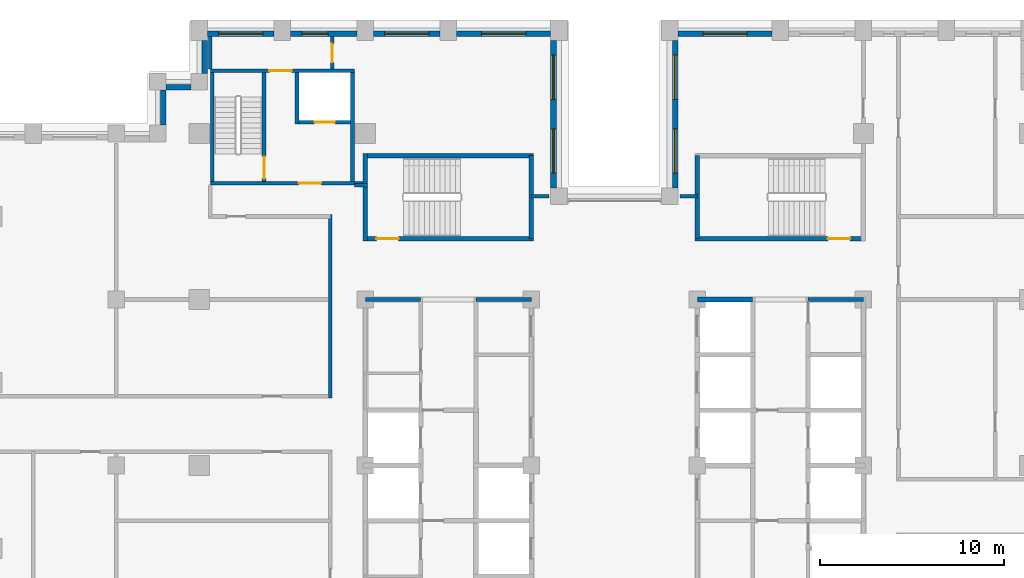
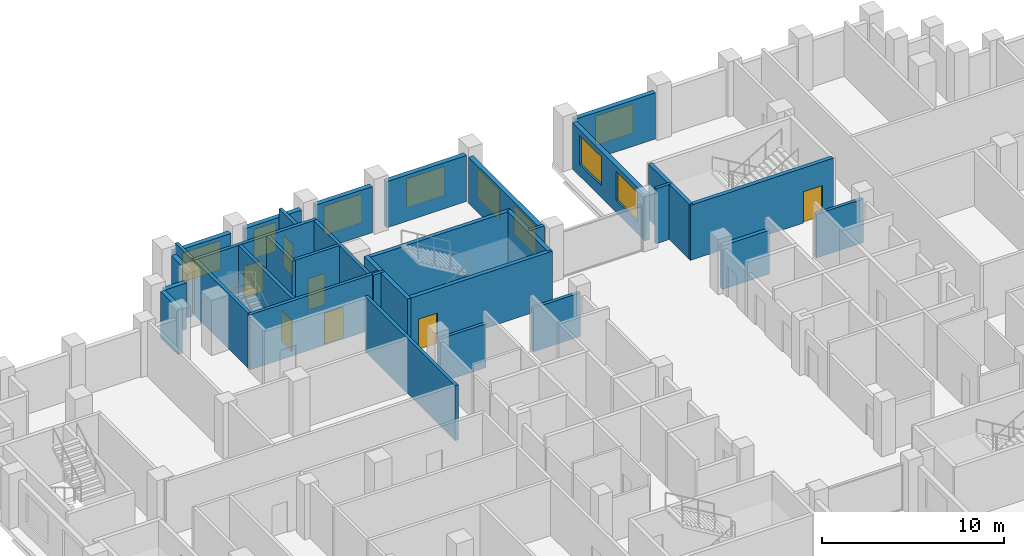
# One storey, part 10 of 15: 33 walls, 9 windows, 7 doors, 16 openings.
"""IFC4 building model written with IfcOpenShell, lengths in metres."""

from ifc_helpers import new_model, si_unit, direction, frame, frame_2d, origin, place, context, subcontext, project, spatial, rectangle, extrude, material, layer, layer_set, type_object, element, fill, save


model = new_model("IFC4")

# Units and contexts
model_context = context("Model", 3, precision=1e-05, world=origin(), true_north=direction((0.0, 1.0)))
body_context = subcontext(model_context, "Body", "Model", "MODEL_VIEW")
ifc_project = project(units=[si_unit("LENGTHUNIT", "METRE"), si_unit("AREAUNIT", "SQUARE_METRE"), si_unit("VOLUMEUNIT", "CUBIC_METRE"), si_unit("PLANEANGLEUNIT", "RADIAN"), si_unit("MASSUNIT", "GRAM", prefix="KILO")], contexts=[model_context])

# Site, building, storey
site_placement = place(None, origin())
site = spatial("IfcSite", under=ifc_project, at=site_placement, CompositionType="ELEMENT")
building_placement = place(site_placement, origin())
building = spatial("IfcBuilding", under=site, at=building_placement, Name="Corbelhall Arena Tower", CompositionType="ELEMENT")
storey_placement = place(building_placement, frame((0.0, 0.0, 130.0)))
storey = spatial("IfcBuildingStorey", under=building, at=storey_placement, Name="L24", CompositionType="ELEMENT", Elevation=130.0)

# Walls
ifc_material_1 = material(Name="Precast concrete C40/50 with granite facing", Category="masonry")
ifc_layer_1 = layer(ifc_material_1, 0.300048828125)
ifc_layer_set_1 = layer_set([ifc_layer_1], Name="EV-IW1 Infill panel 300")
wall_type_1 = type_object("IfcWallType", Name="EV-IW1 Infill panel 300", PredefinedType="SOLIDWALL", material=ifc_layer_set_1)
wall_1_placement = place(storey_placement, frame((-22.199951171875, 23.050048828125, 0.0), z_axis=(0.0, 0.0, 1.0), x_axis=(0.0, -1.0, 0.0)))
element("IfcWall", 1, at=wall_1_placement, inside=storey, type_object=wall_type_1, Name="Infill panel IW1", PredefinedType="SOLIDWALL", context=body_context, shape_type="SweptSolid", body=[
    extrude(rectangle(XDim=1.800048828125, YDim=0.300048828125, at=frame_2d((0.89990234375, 0.0))), origin(), (0.0, 0.0, 1.0), 3.10009765625),
])
wall_2_placement = place(storey_placement, frame((-22.949951171875, 20.5, 0.0), z_axis=(0.0, 0.0, 1.0), x_axis=(-1.0, 0.0, 0.0)))
element("IfcWall", 2, at=wall_2_placement, inside=storey, type_object=wall_type_1, Name="Infill panel IW1", PredefinedType="SOLIDWALL", context=body_context, shape_type="SweptSolid", body=[
    extrude(rectangle(XDim=1.35009765625, YDim=0.300048828125, at=frame_2d((0.675048828125, 0.0))), origin(), (0.0, 0.0, 1.0), 3.10009765625),
])
wall_3_placement = place(storey_placement, frame((-24.449951171875, 20.35009765625, 0.0), z_axis=(0.0, 0.0, 1.0), x_axis=(0.0, -1.0, 0.0)))
element("IfcWall", 3, at=wall_3_placement, inside=storey, type_object=wall_type_1, Name="Infill panel IW1", PredefinedType="SOLIDWALL", context=body_context, shape_type="SweptSolid", body=[
    extrude(rectangle(XDim=1.900146484375, YDim=0.300048828125, at=frame_2d((0.9501953125, 0.0))), origin(), (0.0, 0.0, 1.0), 3.10009765625),
])

# Wall, opening, window
wall_4_placement = place(storey_placement, frame((8.550048828125, 23.39990234375, 0.0), z_axis=(0.0, 0.0, 1.0), x_axis=(-1.0, 0.0, 0.0)))
wall_4 = element("IfcWall", 4, at=wall_4_placement, inside=storey, type_object=wall_type_1, Name="Infill panel IW1", PredefinedType="SOLIDWALL", context=body_context, shape_type="SweptSolid", body=[
    extrude(rectangle(XDim=5.10009765625, YDim=0.300048828125, at=frame_2d((2.550048828125, 0.0))), origin(), (0.0, 0.0, 1.0), 3.10009765625),
])
opening_1_placement = place(wall_4_placement, frame((1.35009765625, 0.0, 0.800048828125)))
opening_1 = element("IfcOpeningElement", 5, at=opening_1_placement, cuts=wall_4, Name="Opening WN1", PredefinedType="OPENING", context=body_context, shape_type="SweptSolid", body=[
    extrude(rectangle(XDim=2.39990234375, YDim=1.949951171875, at=frame_2d((1.199951171875, 0.97509765625))), frame((0.0, 0.14990234375, 0.0), z_axis=(0.0, -1.0, 0.0), x_axis=(1.0, 0.0, 0.0)), (0.0, 0.0, 1.0), 0.300048828125),
])
ifc_material_2 = material(Name="Aluminium black anodised", Category="aluminium")
window_type_1 = type_object("IfcWindowType", Name="EV-WN1 Office window", PartitioningType="SINGLE_PANEL", PredefinedType="WINDOW", material=ifc_material_2)
window_1_placement = place(opening_1_placement, origin())
window_1 = element("IfcWindow", 6, at=window_1_placement, inside=storey, type_object=window_type_1, Name="Window WN1", OverallHeight=1.949951171875, OverallWidth=2.39990234375, PartitioningType="SINGLE_PANEL", PredefinedType="WINDOW", context=body_context, shape_type="SweptSolid", body=[
    extrude(rectangle(XDim=2.39990234375, YDim=1.949951171875, at=frame_2d((1.199951171875, 0.97509765625))), frame((0.0, 0.030029296875, 0.0), z_axis=(0.0, -1.0, 0.0), x_axis=(1.0, 0.0, 0.0)), (0.0, 0.0, 1.0), 0.06005859375),
])
fill(opening_1, window_1)

# Wall, openings, windows
wall_5_placement = place(storey_placement, frame((3.300048828125, 23.050048828125, 0.0), z_axis=(0.0, 0.0, 1.0), x_axis=(0.0, -1.0, 0.0)))
wall_5 = element("IfcWall", 7, at=wall_5_placement, inside=storey, type_object=wall_type_1, Name="Infill panel IW1", PredefinedType="SOLIDWALL", context=body_context, shape_type="SweptSolid", body=[
    extrude(rectangle(XDim=8.0, YDim=0.300048828125, at=frame_2d((4.0, 0.0))), origin(), (0.0, 0.0, 1.0), 3.10009765625),
])
opening_2_placement = place(wall_5_placement, frame((0.800048828125, 0.0, 0.800048828125)))
opening_2 = element("IfcOpeningElement", 8, at=opening_2_placement, cuts=wall_5, Name="Opening WN1", PredefinedType="OPENING", context=body_context, shape_type="SweptSolid", body=[
    extrude(rectangle(XDim=2.39990234375, YDim=1.949951171875, at=frame_2d((1.199951171875, 0.97509765625))), frame((0.0, 0.14990234375, 0.0), z_axis=(0.0, -1.0, 0.0), x_axis=(1.0, 0.0, 0.0)), (0.0, 0.0, 1.0), 0.300048828125),
])
opening_3_placement = place(wall_5_placement, frame((4.800048828125, 0.0, 0.800048828125)))
opening_3 = element("IfcOpeningElement", 9, at=opening_3_placement, cuts=wall_5, Name="Opening WN1", PredefinedType="OPENING", context=body_context, shape_type="SweptSolid", body=[
    extrude(rectangle(XDim=2.39990234375, YDim=1.949951171875, at=frame_2d((1.199951171875, 0.97509765625))), frame((0.0, 0.14990234375, 0.0), z_axis=(0.0, -1.0, 0.0), x_axis=(1.0, 0.0, 0.0)), (0.0, 0.0, 1.0), 0.300048828125),
])
window_2_placement = place(opening_2_placement, origin())
window_2 = element("IfcWindow", 10, at=window_2_placement, inside=storey, type_object=window_type_1, Name="Window WN1", OverallHeight=1.949951171875, OverallWidth=2.39990234375, PartitioningType="SINGLE_PANEL", PredefinedType="WINDOW", context=body_context, shape_type="SweptSolid", body=[
    extrude(rectangle(XDim=2.39990234375, YDim=1.949951171875, at=frame_2d((1.199951171875, 0.97509765625))), frame((0.0, 0.030029296875, 0.0), z_axis=(0.0, -1.0, 0.0), x_axis=(1.0, 0.0, 0.0)), (0.0, 0.0, 1.0), 0.06005859375),
])
fill(opening_2, window_2)
window_3_placement = place(opening_3_placement, origin())
window_3 = element("IfcWindow", 11, at=window_3_placement, inside=storey, type_object=window_type_1, Name="Window WN1", OverallHeight=1.949951171875, OverallWidth=2.39990234375, PartitioningType="SINGLE_PANEL", PredefinedType="WINDOW", context=body_context, shape_type="SweptSolid", body=[
    extrude(rectangle(XDim=2.39990234375, YDim=1.949951171875, at=frame_2d((1.199951171875, 0.97509765625))), frame((0.0, 0.030029296875, 0.0), z_axis=(0.0, -1.0, 0.0), x_axis=(1.0, 0.0, 0.0)), (0.0, 0.0, 1.0), 0.06005859375),
])
fill(opening_3, window_3)

wall_6_placement = place(storey_placement, frame((-3.300048828125, 15.050048828125, 0.0), z_axis=(0.0, 0.0, 1.0), x_axis=(0.0, 1.0, 0.0)))
wall_6 = element("IfcWall", 12, at=wall_6_placement, inside=storey, type_object=wall_type_1, Name="Infill panel IW1", PredefinedType="SOLIDWALL", context=body_context, shape_type="SweptSolid", body=[
    extrude(rectangle(XDim=8.0, YDim=0.300048828125, at=frame_2d((4.0, 0.0))), origin(), (0.0, 0.0, 1.0), 3.10009765625),
])
opening_4_placement = place(wall_6_placement, frame((0.800048828125, 0.0, 0.800048828125)))
opening_4 = element("IfcOpeningElement", 13, at=opening_4_placement, cuts=wall_6, Name="Opening WN1", PredefinedType="OPENING", context=body_context, shape_type="SweptSolid", body=[
    extrude(rectangle(XDim=2.39990234375, YDim=1.949951171875, at=frame_2d((1.199951171875, 0.97509765625))), frame((0.0, 0.14990234375, 0.0), z_axis=(0.0, -1.0, 0.0), x_axis=(1.0, 0.0, 0.0)), (0.0, 0.0, 1.0), 0.300048828125),
])
opening_5_placement = place(wall_6_placement, frame((4.800048828125, 0.0, 0.800048828125)))
opening_5 = element("IfcOpeningElement", 14, at=opening_5_placement, cuts=wall_6, Name="Opening WN1", PredefinedType="OPENING", context=body_context, shape_type="SweptSolid", body=[
    extrude(rectangle(XDim=2.39990234375, YDim=1.949951171875, at=frame_2d((1.199951171875, 0.97509765625))), frame((0.0, 0.14990234375, 0.0), z_axis=(0.0, -1.0, 0.0), x_axis=(1.0, 0.0, 0.0)), (0.0, 0.0, 1.0), 0.300048828125),
])
window_4_placement = place(opening_4_placement, origin())
window_4 = element("IfcWindow", 15, at=window_4_placement, inside=storey, type_object=window_type_1, Name="Window WN1", OverallHeight=1.949951171875, OverallWidth=2.39990234375, PartitioningType="SINGLE_PANEL", PredefinedType="WINDOW", context=body_context, shape_type="SweptSolid", body=[
    extrude(rectangle(XDim=2.39990234375, YDim=1.949951171875, at=frame_2d((1.199951171875, 0.97509765625))), frame((0.0, 0.030029296875, 0.0), z_axis=(0.0, -1.0, 0.0), x_axis=(1.0, 0.0, 0.0)), (0.0, 0.0, 1.0), 0.06005859375),
])
fill(opening_4, window_4)
window_5_placement = place(opening_5_placement, origin())
window_5 = element("IfcWindow", 16, at=window_5_placement, inside=storey, type_object=window_type_1, Name="Window WN1", OverallHeight=1.949951171875, OverallWidth=2.39990234375, PartitioningType="SINGLE_PANEL", PredefinedType="WINDOW", context=body_context, shape_type="SweptSolid", body=[
    extrude(rectangle(XDim=2.39990234375, YDim=1.949951171875, at=frame_2d((1.199951171875, 0.97509765625))), frame((0.0, 0.030029296875, 0.0), z_axis=(0.0, -1.0, 0.0), x_axis=(1.0, 0.0, 0.0)), (0.0, 0.0, 1.0), 0.06005859375),
])
fill(opening_5, window_5)

# Wall, opening, window
wall_7_placement = place(storey_placement, frame((-3.449951171875, 23.39990234375, 0.0), z_axis=(0.0, 0.0, 1.0), x_axis=(-1.0, 0.0, 0.0)))
wall_7 = element("IfcWall", 17, at=wall_7_placement, inside=storey, type_object=wall_type_1, Name="Infill panel IW1", PredefinedType="SOLIDWALL", context=body_context, shape_type="SweptSolid", body=[
    extrude(rectangle(XDim=5.10009765625, YDim=0.300048828125, at=frame_2d((2.550048828125, 0.0))), origin(), (0.0, 0.0, 1.0), 3.10009765625),
])
opening_6_placement = place(wall_7_placement, frame((1.35009765625, 0.0, 0.800048828125)))
opening_6 = element("IfcOpeningElement", 18, at=opening_6_placement, cuts=wall_7, Name="Opening WN1", PredefinedType="OPENING", context=body_context, shape_type="SweptSolid", body=[
    extrude(rectangle(XDim=2.39990234375, YDim=1.949951171875, at=frame_2d((1.199951171875, 0.97509765625))), frame((0.0, 0.14990234375, 0.0), z_axis=(0.0, -1.0, 0.0), x_axis=(1.0, 0.0, 0.0)), (0.0, 0.0, 1.0), 0.300048828125),
])
window_6_placement = place(opening_6_placement, origin())
window_6 = element("IfcWindow", 19, at=window_6_placement, inside=storey, type_object=window_type_1, Name="Window WN1", OverallHeight=1.949951171875, OverallWidth=2.39990234375, PartitioningType="SINGLE_PANEL", PredefinedType="WINDOW", context=body_context, shape_type="SweptSolid", body=[
    extrude(rectangle(XDim=2.39990234375, YDim=1.949951171875, at=frame_2d((1.199951171875, 0.97509765625))), frame((0.0, 0.030029296875, 0.0), z_axis=(0.0, -1.0, 0.0), x_axis=(1.0, 0.0, 0.0)), (0.0, 0.0, 1.0), 0.06005859375),
])
fill(opening_6, window_6)

wall_8_placement = place(storey_placement, frame((-9.449951171875, 23.39990234375, 0.0), z_axis=(0.0, 0.0, 1.0), x_axis=(-1.0, 0.0, 0.0)))
wall_8 = element("IfcWall", 20, at=wall_8_placement, inside=storey, type_object=wall_type_1, Name="Infill panel IW1", PredefinedType="SOLIDWALL", context=body_context, shape_type="SweptSolid", body=[
    extrude(rectangle(XDim=3.60009765625, YDim=0.300048828125, at=frame_2d((1.800048828125, 0.0))), origin(), (0.0, 0.0, 1.0), 3.10009765625),
])
opening_7_placement = place(wall_8_placement, frame((0.60009765625, 0.0, 0.800048828125)))
opening_7 = element("IfcOpeningElement", 21, at=opening_7_placement, cuts=wall_8, Name="Opening WN1", PredefinedType="OPENING", context=body_context, shape_type="SweptSolid", body=[
    extrude(rectangle(XDim=2.39990234375, YDim=1.949951171875, at=frame_2d((1.199951171875, 0.97509765625))), frame((0.0, 0.14990234375, 0.0), z_axis=(0.0, -1.0, 0.0), x_axis=(1.0, 0.0, 0.0)), (0.0, 0.0, 1.0), 0.300048828125),
])
window_7_placement = place(opening_7_placement, origin())
window_7 = element("IfcWindow", 22, at=window_7_placement, inside=storey, type_object=window_type_1, Name="Window WN1", OverallHeight=1.949951171875, OverallWidth=2.39990234375, PartitioningType="SINGLE_PANEL", PredefinedType="WINDOW", context=body_context, shape_type="SweptSolid", body=[
    extrude(rectangle(XDim=2.39990234375, YDim=1.949951171875, at=frame_2d((1.199951171875, 0.97509765625))), frame((0.0, 0.030029296875, 0.0), z_axis=(0.0, -1.0, 0.0), x_axis=(1.0, 0.0, 0.0)), (0.0, 0.0, 1.0), 0.06005859375),
])
fill(opening_7, window_7)

wall_9_placement = place(storey_placement, frame((-13.949951171875, 23.39990234375, 0.0), z_axis=(0.0, 0.0, 1.0), x_axis=(-1.0, 0.0, 0.0)))
wall_9 = element("IfcWall", 23, at=wall_9_placement, inside=storey, type_object=wall_type_1, Name="Infill panel IW1", PredefinedType="SOLIDWALL", context=body_context, shape_type="SweptSolid", body=[
    extrude(rectangle(XDim=3.60009765625, YDim=0.300048828125, at=frame_2d((1.800048828125, 0.0))), origin(), (0.0, 0.0, 1.0), 3.10009765625),
])
opening_8_placement = place(wall_9_placement, frame((1.574951171875, 0.0, 0.800048828125)))
opening_8 = element("IfcOpeningElement", 24, at=opening_8_placement, cuts=wall_9, Name="Opening WN7", PredefinedType="OPENING", context=body_context, shape_type="SweptSolid", body=[
    extrude(rectangle(XDim=1.39990234375, YDim=1.949951171875, at=frame_2d((0.699951171875, 0.97509765625))), frame((0.0, 0.14990234375, 0.0), z_axis=(0.0, -1.0, 0.0), x_axis=(1.0, 0.0, 0.0)), (0.0, 0.0, 1.0), 0.300048828125),
])
window_type_2 = type_object("IfcWindowType", Name="EV-WN7 Office window 1400", PartitioningType="SINGLE_PANEL", PredefinedType="WINDOW", material=ifc_material_2)
window_8_placement = place(opening_8_placement, origin())
window_8 = element("IfcWindow", 25, at=window_8_placement, inside=storey, type_object=window_type_2, Name="Window WN7", OverallHeight=1.949951171875, OverallWidth=1.39990234375, PartitioningType="SINGLE_PANEL", PredefinedType="WINDOW", context=body_context, shape_type="SweptSolid", body=[
    extrude(rectangle(XDim=1.39990234375, YDim=1.949951171875, at=frame_2d((0.699951171875, 0.97509765625))), frame((0.0, 0.030029296875, 0.0), z_axis=(0.0, -1.0, 0.0), x_axis=(1.0, 0.0, 0.0)), (0.0, 0.0, 1.0), 0.06005859375),
])
fill(opening_8, window_8)

wall_10_placement = place(storey_placement, frame((-18.449951171875, 23.39990234375, 0.0), z_axis=(0.0, 0.0, 1.0), x_axis=(-1.0, 0.0, 0.0)))
wall_10 = element("IfcWall", 26, at=wall_10_placement, inside=storey, type_object=wall_type_1, Name="Infill panel IW1", PredefinedType="SOLIDWALL", context=body_context, shape_type="SweptSolid", body=[
    extrude(rectangle(XDim=3.60009765625, YDim=0.300048828125, at=frame_2d((1.800048828125, 0.0))), origin(), (0.0, 0.0, 1.0), 3.10009765625),
])
opening_9_placement = place(wall_10_placement, frame((0.60009765625, 0.0, 0.800048828125)))
opening_9 = element("IfcOpeningElement", 27, at=opening_9_placement, cuts=wall_10, Name="Opening WN1", PredefinedType="OPENING", context=body_context, shape_type="SweptSolid", body=[
    extrude(rectangle(XDim=2.39990234375, YDim=1.949951171875, at=frame_2d((1.199951171875, 0.97509765625))), frame((0.0, 0.14990234375, 0.0), z_axis=(0.0, -1.0, 0.0), x_axis=(1.0, 0.0, 0.0)), (0.0, 0.0, 1.0), 0.300048828125),
])
window_9_placement = place(opening_9_placement, origin())
window_9 = element("IfcWindow", 28, at=window_9_placement, inside=storey, type_object=window_type_1, Name="Window WN1", OverallHeight=1.949951171875, OverallWidth=2.39990234375, PartitioningType="SINGLE_PANEL", PredefinedType="WINDOW", context=body_context, shape_type="SweptSolid", body=[
    extrude(rectangle(XDim=2.39990234375, YDim=1.949951171875, at=frame_2d((1.199951171875, 0.97509765625))), frame((0.0, 0.030029296875, 0.0), z_axis=(0.0, -1.0, 0.0), x_axis=(1.0, 0.0, 0.0)), (0.0, 0.0, 1.0), 0.06005859375),
])
fill(opening_9, window_9)

# Walls
ifc_material_3 = material(Name="Gypsum board on steel stud, acoustic", Category="steel")
ifc_layer_2 = layer(ifc_material_3, 0.199951171875)
ifc_layer_set_2 = layer_set([ifc_layer_2], Name="IN-W-DM200")
wall_type_2 = type_object("IfcWallType", Name="IN-W-DM200", PredefinedType="PARTITIONING", material=ifc_layer_set_2)
wall_11_placement = place(storey_placement, frame((-21.89990234375, 21.5, 0.0), z_axis=(0.0, 0.0, 1.0), x_axis=(0.0, 1.0, 0.0)))
element("IfcWall", 29, at=wall_11_placement, inside=storey, type_object=wall_type_2, Name="Partition 014", PredefinedType="PARTITIONING", context=body_context, shape_type="SweptSolid", body=[
    extrude(rectangle(XDim=1.75, YDim=0.199951171875, at=frame_2d((0.875, 0.0))), origin(), (0.0, 0.0, 1.0), 3.699951171875),
])
wall_12_placement = place(storey_placement, frame((-15.39990234375, 3.64990234375, 0.0), z_axis=(0.0, 0.0, 1.0), x_axis=(0.0, 1.0, 0.0)))
element("IfcWall", 30, at=wall_12_placement, inside=storey, type_object=wall_type_2, Name="Partition 018", PredefinedType="PARTITIONING", context=body_context, shape_type="SweptSolid", body=[
    extrude(rectangle(XDim=9.9501953125, YDim=0.199951171875, at=frame_2d((4.97509765625, 0.0))), origin(), (0.0, 0.0, 1.0), 3.699951171875),
])

# Wall, opening, door
wall_13_placement = place(storey_placement, frame((-15.300048828125, 23.25, 0.0), z_axis=(0.0, 0.0, 1.0), x_axis=(0.0, -1.0, 0.0)))
wall_13 = element("IfcWall", 31, at=wall_13_placement, inside=storey, type_object=wall_type_2, Name="Partition 020", PredefinedType="PARTITIONING", context=body_context, shape_type="SweptSolid", body=[
    extrude(rectangle(XDim=1.75, YDim=0.199951171875, at=frame_2d((0.875, 0.0))), origin(), (0.0, 0.0, 1.0), 3.699951171875),
])
opening_10_placement = place(wall_13_placement, frame((0.39990234375, 0.0, 0.0)))
opening_10 = element("IfcOpeningElement", 32, at=opening_10_placement, cuts=wall_13, Name="Opening 06023", PredefinedType="OPENING", context=body_context, shape_type="SweptSolid", body=[
    extrude(rectangle(XDim=1.0, YDim=2.10009765625, at=frame_2d((0.5, 1.050048828125))), frame((0.0, 0.10009765625, 0.0), z_axis=(0.0, -1.0, 0.0), x_axis=(1.0, 0.0, 0.0)), (0.0, 0.0, 1.0), 0.199951171875),
])
ifc_material_4 = material(Name="Steel door set", Category="steel")
door_type_1 = type_object("IfcDoorType", Name="IN-D-SW100", OperationType="NOTDEFINED", PredefinedType="DOOR", material=ifc_material_4)
door_1_placement = place(opening_10_placement, origin())
door_1 = element("IfcDoor", 33, at=door_1_placement, inside=storey, type_object=door_type_1, Name="Door 023", OperationType="SINGLE_SWING_RIGHT", OverallHeight=2.10009765625, OverallWidth=1.0, PredefinedType="DOOR", context=body_context, shape_type="SweptSolid", body=[
    extrude(rectangle(XDim=1.0, YDim=2.10009765625, at=frame_2d((0.5, 1.050048828125))), frame((0.0, 0.02490234375, 0.0), z_axis=(0.0, -1.0, 0.0), x_axis=(1.0, 0.0, 0.0)), (0.0, 0.0, 1.0), 0.050048828125),
])
fill(opening_10, door_1)

# Walls
wall_14_placement = place(storey_placement, frame((-14.10009765625, 15.199951171875, 0.0), z_axis=(0.0, 0.0, 1.0), x_axis=(1.0, 0.0, 0.0)))
element("IfcWall", 34, at=wall_14_placement, inside=storey, type_object=wall_type_2, Name="Partition 021", PredefinedType="PARTITIONING", context=body_context, shape_type="SweptSolid", body=[
    extrude(rectangle(XDim=0.72509765625, YDim=0.199951171875, at=frame_2d((0.362548828125, 0.0))), origin(), (0.0, 0.0, 1.0), 3.699951171875),
])
for number, where, z_axis, x_axis, name in (
    (35, (-4.5, 14.60009765625, 0.0), (0.0, 0.0, 1.0), (1.0, 0.0, 0.0), "Partition 023"),
    (36, (3.550048828125, 14.60009765625, 0.0), (0.0, 0.0, 1.0), (1.0, 0.0, 0.0), "Partition 025"),
):
    element("IfcWall", number, at=place(storey_placement, frame(where, z_axis=z_axis, x_axis=x_axis)), inside=storey, type_object=wall_type_2, Name=name, PredefinedType="PARTITIONING", context=body_context, shape_type="SweptSolid", body=[
        extrude(rectangle(XDim=0.949951171875, YDim=0.199951171875, at=frame_2d((0.47509765625, 0.0))), origin(), (0.0, 0.0, 1.0), 3.699951171875),
    ])

# Wall, opening, door
ifc_material_5 = material(Name="Concrete C40/50", Category="concrete")
ifc_layer_3 = layer(ifc_material_5, 0.199951171875)
ifc_layer_set_3 = layer_set([ifc_layer_3], Name="IN-W-EAR200")
wall_type_3 = type_object("IfcWallType", Name="IN-W-EAR200", PredefinedType="SOLIDWALL", material=ifc_layer_set_3)
wall_15_placement = place(storey_placement, frame((-21.89990234375, 15.300048828125, 0.0), z_axis=(0.0, 0.0, 1.0), x_axis=(1.0, 0.0, 0.0)))
wall_15 = element("IfcWall", 37, at=wall_15_placement, inside=storey, type_object=wall_type_3, Name="Fire service turret wall south", PredefinedType="SOLIDWALL", context=body_context, shape_type="SweptSolid", body=[
    extrude(rectangle(XDim=8.27490234375, YDim=0.199951171875, at=frame_2d((4.137451171875, 0.0))), origin(), (0.0, 0.0, 1.0), 3.699951171875),
])
opening_11_placement = place(wall_15_placement, frame((4.800048828125, 0.0, 0.0)))
opening_11 = element("IfcOpeningElement", 38, at=opening_11_placement, cuts=wall_15, Name="Opening E062", PredefinedType="OPENING", context=body_context, shape_type="SweptSolid", body=[
    extrude(rectangle(XDim=1.199951171875, YDim=2.10009765625, at=frame_2d((0.60009765625, 1.050048828125))), frame((0.0, 0.10009765625, 0.0), z_axis=(0.0, -1.0, 0.0), x_axis=(1.0, 0.0, 0.0)), (0.0, 0.0, 1.0), 0.199951171875),
])
door_type_2 = type_object("IfcDoorType", Name="IN-D-ST120", OperationType="NOTDEFINED", PredefinedType="DOOR", material=ifc_material_4)
door_2_placement = place(opening_11_placement, origin())
door_2 = element("IfcDoor", 39, at=door_2_placement, inside=storey, type_object=door_type_2, Name="Door from fire service lift lobby to circulation", OperationType="SINGLE_SWING_RIGHT", OverallHeight=2.10009765625, OverallWidth=1.199951171875, PredefinedType="DOOR", context=body_context, shape_type="SweptSolid", body=[
    extrude(rectangle(XDim=1.199951171875, YDim=2.10009765625, at=frame_2d((0.60009765625, 1.050048828125))), frame((0.0, 0.02490234375, 0.0), z_axis=(0.0, -1.0, 0.0), x_axis=(1.0, 0.0, 0.0)), (0.0, 0.0, 1.0), 0.050048828125),
])
fill(opening_11, door_2)

wall_16_placement = place(storey_placement, frame((-21.89990234375, 21.39990234375, 0.0), z_axis=(0.0, 0.0, 1.0), x_axis=(1.0, 0.0, 0.0)))
wall_16 = element("IfcWall", 40, at=wall_16_placement, inside=storey, type_object=wall_type_3, Name="Fire service turret wall north", PredefinedType="SOLIDWALL", context=body_context, shape_type="SweptSolid", body=[
    extrude(rectangle(XDim=7.7998046875, YDim=0.199951171875, at=frame_2d((3.89990234375, 0.0))), origin(), (0.0, 0.0, 1.0), 3.699951171875),
])
opening_12_placement = place(wall_16_placement, frame((3.199951171875, 0.0, 0.0)))
opening_12 = element("IfcOpeningElement", 41, at=opening_12_placement, cuts=wall_16, Name="Opening E063", PredefinedType="OPENING", context=body_context, shape_type="SweptSolid", body=[
    extrude(rectangle(XDim=1.199951171875, YDim=2.10009765625, at=frame_2d((0.60009765625, 1.050048828125))), frame((0.0, 0.10009765625, 0.0), z_axis=(0.0, -1.0, 0.0), x_axis=(1.0, 0.0, 0.0)), (0.0, 0.0, 1.0), 0.199951171875),
])
door_3_placement = place(opening_12_placement, origin())
door_3 = element("IfcDoor", 42, at=door_3_placement, inside=storey, type_object=door_type_2, Name="Door from fire service lift lobby to the north gallery", OperationType="SINGLE_SWING_LEFT", OverallHeight=2.10009765625, OverallWidth=1.199951171875, PredefinedType="DOOR", context=body_context, shape_type="SweptSolid", body=[
    extrude(rectangle(XDim=1.199951171875, YDim=2.10009765625, at=frame_2d((0.60009765625, 1.050048828125))), frame((0.0, 0.02490234375, 0.0), z_axis=(0.0, -1.0, 0.0), x_axis=(1.0, 0.0, 0.0)), (0.0, 0.0, 1.0), 0.050048828125),
])
fill(opening_12, door_3)

# Walls
for number, where, z_axis, x_axis, name in (
    (43, (-21.800048828125, 15.39990234375, 0.0), (0.0, 0.0, 1.0), (0.0, 1.0, 0.0), "Fire service turret wall west"),
    (44, (-14.199951171875, 15.39990234375, 0.0), (0.0, 0.0, 1.0), (0.0, 1.0, 0.0), "Fire service turret wall east"),
):
    element("IfcWall", number, at=place(storey_placement, frame(where, z_axis=z_axis, x_axis=x_axis)), inside=storey, type_object=wall_type_3, Name=name, PredefinedType="SOLIDWALL", context=body_context, shape_type="SweptSolid", body=[
        extrude(rectangle(XDim=5.900146484375, YDim=0.199951171875, at=frame_2d((2.9501953125, 0.0))), origin(), (0.0, 0.0, 1.0), 3.699951171875),
    ])

# Wall, opening, door
wall_17_placement = place(storey_placement, frame((-18.989990234375, 15.39990234375, 0.0), z_axis=(0.0, 0.0, 1.0), x_axis=(0.0, 1.0, 0.0)))
wall_17 = element("IfcWall", 45, at=wall_17_placement, inside=storey, type_object=wall_type_3, Name="Fire service turret wall stair", PredefinedType="SOLIDWALL", context=body_context, shape_type="SweptSolid", body=[
    extrude(rectangle(XDim=5.900146484375, YDim=0.199951171875, at=frame_2d((2.9501953125, 0.0))), origin(), (0.0, 0.0, 1.0), 3.699951171875),
])
opening_13_placement = place(wall_17_placement, frame((0.14990234375, 0.0, 0.0)))
opening_13 = element("IfcOpeningElement", 46, at=opening_13_placement, cuts=wall_17, Name="Opening E061", PredefinedType="OPENING", context=body_context, shape_type="SweptSolid", body=[
    extrude(rectangle(XDim=1.199951171875, YDim=2.10009765625, at=frame_2d((0.60009765625, 1.050048828125))), frame((0.0, 0.10009765625, 0.0), z_axis=(0.0, -1.0, 0.0), x_axis=(1.0, 0.0, 0.0)), (0.0, 0.0, 1.0), 0.199951171875),
])
door_4_placement = place(opening_13_placement, origin())
door_4 = element("IfcDoor", 47, at=door_4_placement, inside=storey, type_object=door_type_2, Name="Stair door to fire service lobby", OperationType="SINGLE_SWING_LEFT", OverallHeight=2.10009765625, OverallWidth=1.199951171875, PredefinedType="DOOR", context=body_context, shape_type="SweptSolid", body=[
    extrude(rectangle(XDim=1.199951171875, YDim=2.10009765625, at=frame_2d((0.60009765625, 1.050048828125))), frame((0.0, 0.02490234375, 0.0), z_axis=(0.0, -1.0, 0.0), x_axis=(1.0, 0.0, 0.0)), (0.0, 0.0, 1.0), 0.050048828125),
])
fill(opening_13, door_4)

# Wall
wall_18_placement = place(storey_placement, frame((-17.199951171875, 18.5, 0.0), z_axis=(0.0, 0.0, 1.0), x_axis=(0.0, 1.0, 0.0)))
element("IfcWall", 48, at=wall_18_placement, inside=storey, type_object=wall_type_3, Name="Fire service turret wall hoistway west", PredefinedType="SOLIDWALL", context=body_context, shape_type="SweptSolid", body=[
    extrude(rectangle(XDim=2.800048828125, YDim=0.199951171875, at=frame_2d((1.39990234375, 0.0))), origin(), (0.0, 0.0, 1.0), 3.699951171875),
])

# Wall, opening, door
wall_19_placement = place(storey_placement, frame((-17.10009765625, 18.60009765625, 0.0), z_axis=(0.0, 0.0, 1.0), x_axis=(1.0, 0.0, 0.0)))
wall_19 = element("IfcWall", 49, at=wall_19_placement, inside=storey, type_object=wall_type_3, Name="Fire service turret wall hoistway south", PredefinedType="SOLIDWALL", context=body_context, shape_type="SweptSolid", body=[
    extrude(rectangle(XDim=2.800048828125, YDim=0.199951171875, at=frame_2d((1.39990234375, 0.0))), origin(), (0.0, 0.0, 1.0), 3.699951171875),
])
opening_14_placement = place(wall_19_placement, frame((0.85009765625, 0.0, 0.0)))
opening_14 = element("IfcOpeningElement", 50, at=opening_14_placement, cuts=wall_19, Name="Opening LD", PredefinedType="OPENING", context=body_context, shape_type="SweptSolid", body=[
    extrude(rectangle(XDim=1.10009765625, YDim=2.10009765625, at=frame_2d((0.550048828125, 1.050048828125))), frame((0.0, 0.10009765625, 0.0), z_axis=(0.0, -1.0, 0.0), x_axis=(1.0, 0.0, 0.0)), (0.0, 0.0, 1.0), 0.199951171875),
])
door_type_3 = type_object("IfcDoorType", Name="IN-D-LD110", OperationType="NOTDEFINED", PredefinedType="DOOR", material=ifc_material_4)
door_5_placement = place(opening_14_placement, origin())
door_5 = element("IfcDoor", 51, at=door_5_placement, inside=storey, type_object=door_type_3, Name="Landing door FS1", OperationType="SLIDING_TO_LEFT", OverallHeight=2.10009765625, OverallWidth=1.10009765625, PredefinedType="DOOR", context=body_context, shape_type="SweptSolid", body=[
    extrude(rectangle(XDim=1.10009765625, YDim=2.10009765625, at=frame_2d((0.550048828125, 1.050048828125))), frame((0.0, 0.02490234375, 0.0), z_axis=(0.0, -1.0, 0.0), x_axis=(1.0, 0.0, 0.0)), (0.0, 0.0, 1.0), 0.050048828125),
])
fill(opening_14, door_5)

# Walls
ifc_material_6 = material(Name="Concrete block wall", Category="concrete")
ifc_layer_4 = layer(ifc_material_6, 0.199951171875)
ifc_layer_set_4 = layer_set([ifc_layer_4], Name="IN-W-RS200 under beam 762 mm")
wall_type_4 = type_object("IfcWallType", Name="IN-W-RS200 under beam 762 mm", PredefinedType="SOLIDWALL", material=ifc_layer_set_4)
for number, where, z_axis, x_axis, name in (
    (52, (-13.5, 9.0, 0.0), (0.0, 0.0, 1.0), (1.0, 0.0, 0.0), "Partition 049"),
    (53, (-7.5, 9.0, 0.0), (0.0, 0.0, 1.0), (1.0, 0.0, 0.0), "Partition 054"),
    (54, (10.5, 9.0, 0.0), (0.0, 0.0, 1.0), (1.0, 0.0, 0.0), "Partition 061"),
):
    element("IfcWall", number, at=place(storey_placement, frame(where, z_axis=z_axis, x_axis=x_axis)), inside=storey, type_object=wall_type_4, Name=name, PredefinedType="SOLIDWALL", context=body_context, shape_type="SweptSolid", body=[
        extrude(rectangle(XDim=3.0, YDim=0.199951171875, at=frame_2d((1.5, 0.0))), origin(), (0.0, 0.0, 1.0), 2.93798828125),
    ])
ifc_layer_5 = layer(ifc_material_5, 0.25)
ifc_layer_set_5 = layer_set([ifc_layer_5], Name="IN-W-SH250 under beam 762 mm")
wall_type_5 = type_object("IfcWallType", Name="IN-W-SH250 under beam 762 mm", PredefinedType="SOLIDWALL", material=ifc_layer_set_5)
wall_20_placement = place(storey_placement, frame((4.5, 9.0, 0.0), z_axis=(0.0, 0.0, 1.0), x_axis=(1.0, 0.0, 0.0)))
element("IfcWall", 55, at=wall_20_placement, inside=storey, type_object=wall_type_5, Name="Shaft wall 079", PredefinedType="SOLIDWALL", context=body_context, shape_type="SweptSolid", body=[
    extrude(rectangle(XDim=3.0, YDim=0.25, at=frame_2d((1.5, 0.0))), origin(), (0.0, 0.0, 1.0), 2.93798828125),
])

# Wall, opening, door
ifc_layer_6 = layer(ifc_material_5, 0.25)
ifc_layer_set_6 = layer_set([ifc_layer_6], Name="IN-W-ST250")
wall_type_6 = type_object("IfcWallType", Name="IN-W-ST250", PredefinedType="SOLIDWALL", material=ifc_layer_set_6)
wall_21_placement = place(storey_placement, frame((-13.5, 12.300048828125, 0.0), z_axis=(0.0, 0.0, 1.0), x_axis=(1.0, 0.0, 0.0)))
wall_21 = element("IfcWall", 56, at=wall_21_placement, inside=storey, type_object=wall_type_6, Name="Shaft wall 093", PredefinedType="SOLIDWALL", context=body_context, shape_type="SweptSolid", body=[
    extrude(rectangle(XDim=9.125, YDim=0.25, at=frame_2d((4.5625, 0.0))), origin(), (0.0, 0.0, 1.0), 3.699951171875),
])
opening_15_placement = place(wall_21_placement, frame((0.60009765625, 0.0, 0.0)))
opening_15 = element("IfcOpeningElement", 57, at=opening_15_placement, cuts=wall_21, Name="Opening 06015", PredefinedType="OPENING", context=body_context, shape_type="SweptSolid", body=[
    extrude(rectangle(XDim=1.199951171875, YDim=2.10009765625, at=frame_2d((0.60009765625, 1.050048828125))), frame((0.0, 0.125, 0.0), z_axis=(0.0, -1.0, 0.0), x_axis=(1.0, 0.0, 0.0)), (0.0, 0.0, 1.0), 0.25),
])
door_6_placement = place(opening_15_placement, origin())
door_6 = element("IfcDoor", 58, at=door_6_placement, inside=storey, type_object=door_type_2, Name="Door 015", OperationType="SINGLE_SWING_RIGHT", OverallHeight=2.10009765625, OverallWidth=1.199951171875, PredefinedType="DOOR", context=body_context, shape_type="SweptSolid", body=[
    extrude(rectangle(XDim=1.199951171875, YDim=2.10009765625, at=frame_2d((0.60009765625, 1.050048828125))), frame((0.0, 0.02490234375, 0.0), z_axis=(0.0, -1.0, 0.0), x_axis=(1.0, 0.0, 0.0)), (0.0, 0.0, 1.0), 0.050048828125),
])
fill(opening_15, door_6)

# Walls
wall_22_placement = place(storey_placement, frame((-13.5, 12.175048828125, 0.0), z_axis=(0.0, 0.0, 1.0), x_axis=(0.0, 1.0, 0.0)))
element("IfcWall", 59, at=wall_22_placement, inside=storey, type_object=wall_type_6, Name="Shaft wall 094", PredefinedType="SOLIDWALL", context=body_context, shape_type="SweptSolid", body=[
    extrude(rectangle(XDim=4.75, YDim=0.25, at=frame_2d((2.375, 0.0))), origin(), (0.0, 0.0, 1.0), 3.699951171875),
])
wall_23_placement = place(storey_placement, frame((-13.5, 16.800048828125, 0.0), z_axis=(0.0, 0.0, 1.0), x_axis=(1.0, 0.0, 0.0)))
element("IfcWall", 60, at=wall_23_placement, inside=storey, type_object=wall_type_6, Name="Shaft wall 095", PredefinedType="SOLIDWALL", context=body_context, shape_type="SweptSolid", body=[
    extrude(rectangle(XDim=9.125, YDim=0.25, at=frame_2d((4.5625, 0.0))), origin(), (0.0, 0.0, 1.0), 3.699951171875),
])
wall_24_placement = place(storey_placement, frame((-4.5, 16.800048828125, 0.0), z_axis=(0.0, 0.0, 1.0), x_axis=(0.0, -1.0, 0.0)))
element("IfcWall", 61, at=wall_24_placement, inside=storey, type_object=wall_type_6, Name="Shaft wall 098", PredefinedType="SOLIDWALL", context=body_context, shape_type="SweptSolid", body=[
    extrude(rectangle(XDim=4.5, YDim=0.25, at=frame_2d((2.25, 0.0))), origin(), (0.0, 0.0, 1.0), 3.699951171875),
])

# Wall, opening, door
wall_25_placement = place(storey_placement, frame((4.375, 12.300048828125, 0.0), z_axis=(0.0, 0.0, 1.0), x_axis=(1.0, 0.0, 0.0)))
wall_25 = element("IfcWall", 62, at=wall_25_placement, inside=storey, type_object=wall_type_6, Name="Shaft wall 100", PredefinedType="SOLIDWALL", context=body_context, shape_type="SweptSolid", body=[
    extrude(rectangle(XDim=9.125, YDim=0.25, at=frame_2d((4.5625, 0.0))), origin(), (0.0, 0.0, 1.0), 3.699951171875),
])
opening_16_placement = place(wall_25_placement, frame((7.199951171875, 0.0, 0.0)))
opening_16 = element("IfcOpeningElement", 63, at=opening_16_placement, cuts=wall_25, Name="Opening 06017", PredefinedType="OPENING", context=body_context, shape_type="SweptSolid", body=[
    extrude(rectangle(XDim=1.199951171875, YDim=2.10009765625, at=frame_2d((0.60009765625, 1.050048828125))), frame((0.0, 0.125, 0.0), z_axis=(0.0, -1.0, 0.0), x_axis=(1.0, 0.0, 0.0)), (0.0, 0.0, 1.0), 0.25),
])
door_7_placement = place(opening_16_placement, origin())
door_7 = element("IfcDoor", 64, at=door_7_placement, inside=storey, type_object=door_type_2, Name="Door 017", OperationType="SINGLE_SWING_RIGHT", OverallHeight=2.10009765625, OverallWidth=1.199951171875, PredefinedType="DOOR", context=body_context, shape_type="SweptSolid", body=[
    extrude(rectangle(XDim=1.199951171875, YDim=2.10009765625, at=frame_2d((0.60009765625, 1.050048828125))), frame((0.0, 0.02490234375, 0.0), z_axis=(0.0, -1.0, 0.0), x_axis=(1.0, 0.0, 0.0)), (0.0, 0.0, 1.0), 0.050048828125),
])
fill(opening_16, door_7)

# Wall
wall_26_placement = place(storey_placement, frame((4.5, 12.300048828125, 0.0), z_axis=(0.0, 0.0, 1.0), x_axis=(0.0, 1.0, 0.0)))
element("IfcWall", 65, at=wall_26_placement, inside=storey, type_object=wall_type_6, Name="Shaft wall 103", PredefinedType="SOLIDWALL", context=body_context, shape_type="SweptSolid", body=[
    extrude(rectangle(XDim=4.5, YDim=0.25, at=frame_2d((2.25, 0.0))), origin(), (0.0, 0.0, 1.0), 3.699951171875),
])

save(model, "model.ifc")
